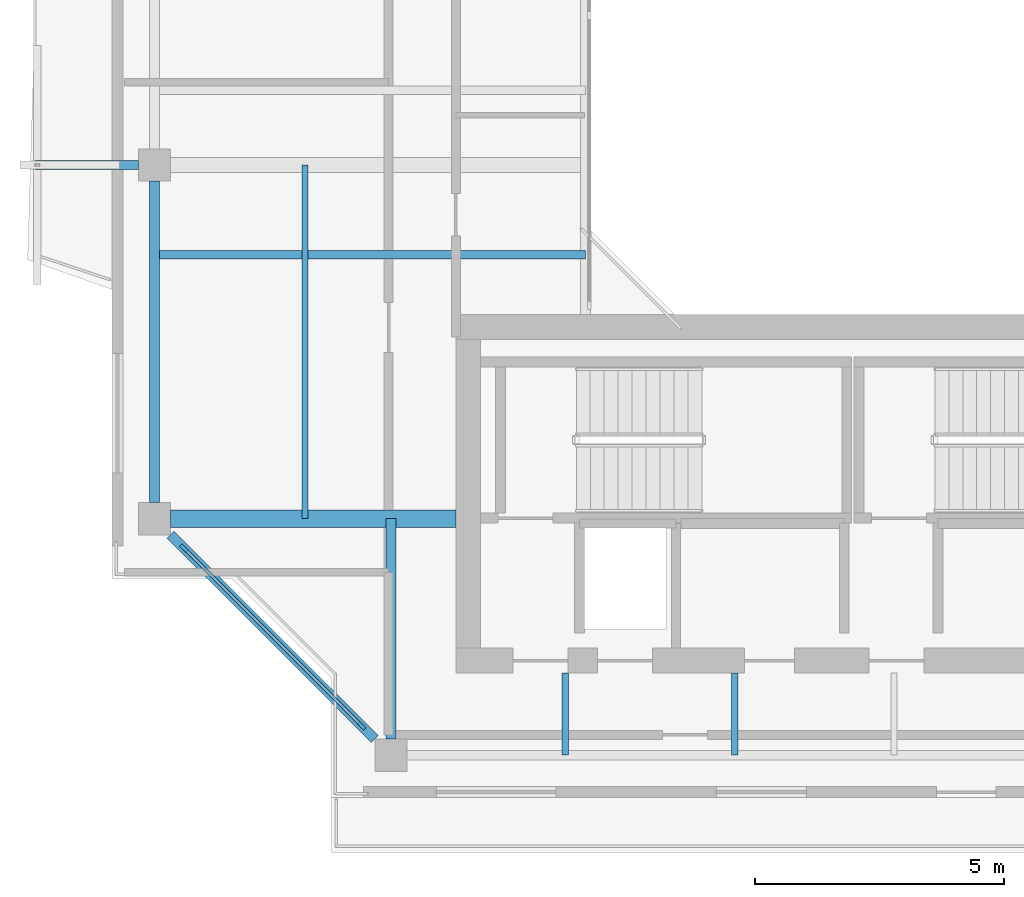
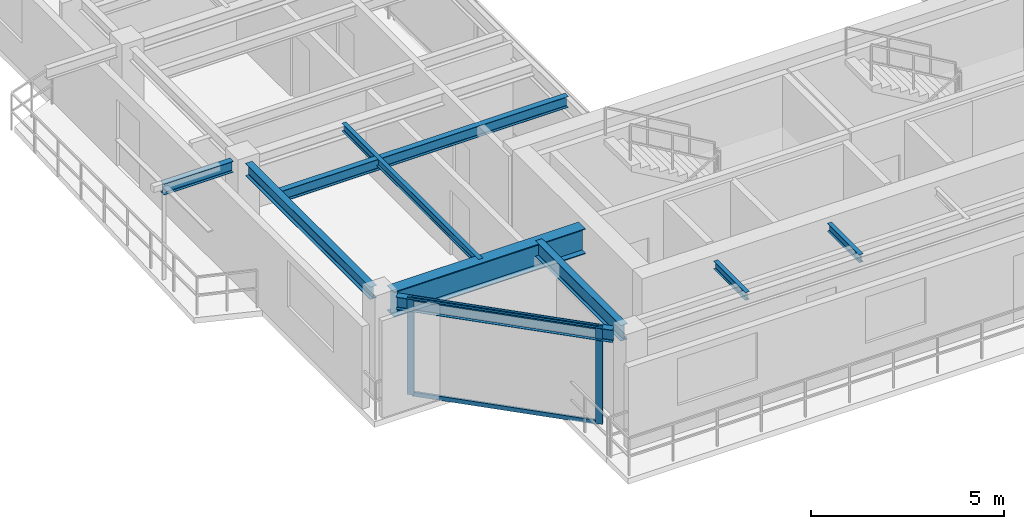
# One storey, part 2 of 15: 9 beams, 4 members, 1 element without a shape of its own.
"""IFC4 building model written with IfcOpenShell, lengths in metres."""

from ifc_helpers import new_model, si_unit, direction, frame, origin, origin_2d, place, context, subcontext, project, spatial, rectangle, i_section, extrude, source, transform, mapped, material, layer, layer_set, material_profile, profile_set, type_object, element, aggregate, save


model = new_model("IFC4")

# Units and contexts
model_context = context("Model", 3, precision=1e-05, world=origin(), true_north=direction((0.0, 1.0)))
body_context = subcontext(model_context, "Body", "Model", "MODEL_VIEW")
ifc_project = project(units=[si_unit("LENGTHUNIT", "METRE"), si_unit("AREAUNIT", "SQUARE_METRE"), si_unit("VOLUMEUNIT", "CUBIC_METRE"), si_unit("PLANEANGLEUNIT", "RADIAN"), si_unit("MASSUNIT", "GRAM", prefix="KILO"), si_unit("THERMODYNAMICTEMPERATUREUNIT", "KELVIN"), si_unit("POWERUNIT", "WATT")], contexts=[model_context])

# Site, building, storey
site_placement = place(None, origin())
site = spatial("IfcSite", under=ifc_project, at=site_placement, CompositionType="ELEMENT")
building_placement = place(site_placement, origin())
building = spatial("IfcBuilding", under=site, at=building_placement, Name="Qiaomeng Ring Towers", CompositionType="ELEMENT")
storey_placement = place(building_placement, frame((0.0, 0.0, 237.25)))
storey = spatial("IfcBuildingStorey", under=building, at=storey_placement, Name="L69", CompositionType="ELEMENT", Elevation=237.25)

# Beams
ifc_material_1 = material(Name="Steel Q355B", Category="steel")
ifc_material_profile_1 = material_profile(ifc_material_1, i_section(OverallWidth=0.198974609375, OverallDepth=0.39599609375, WebThickness=0.007080078125, FlangeThickness=0.010986328125, FilletRadius=0.01611328125, at=origin_2d()), Name="HN 396x199x7x11")
ifc_profile_set_1 = profile_set([ifc_material_profile_1], Name="Steel Q355B")
beam_type_1 = type_object("IfcBeamType", Name="STR-BM-HN396", PredefinedType="SPANDREL", material=ifc_profile_set_1)
shared_shape_1 = source(origin(), body_context, "Body", "SweptSolid", [
    extrude(i_section(OverallWidth=0.198974609375, OverallDepth=0.39599609375, WebThickness=0.007080078125, FlangeThickness=0.010986328125, FilletRadius=0.01611328125, at=origin_2d()), origin(), (0.0, 0.0, 1.0), 5.800048828125),
])
beam_1_placement = place(storey_placement, frame((4.474365234375, 12.57568359375, 2.8720703125), z_axis=(0.707106781187, -0.707106781187, 0.0), x_axis=(0.707106781187, 0.707106781187, 0.0)))
element("IfcBeam", 1, at=beam_1_placement, inside=storey, type_object=beam_type_1, Name="L69 beam STR-SP-L69-T1-W1-S1", PredefinedType="SPANDREL", context=body_context, shape_type="MappedRepresentation", body=[
    mapped(shared_shape_1, transform((0.0, 0.0, 0.0), x_axis=(1.0, 0.0, 0.0), y_axis=(0.0, 1.0, 0.0), z_axis=(0.0, 0.0, 1.0), scale=1.0)),
])
shared_shape_2 = source(origin(), body_context, "Body", "SweptSolid", [
    extrude(i_section(OverallWidth=0.198974609375, OverallDepth=0.39599609375, WebThickness=0.007080078125, FlangeThickness=0.010986328125, FilletRadius=0.01611328125, at=origin_2d()), origin(), (0.0, 0.0, 1.0), 6.451904296875),
])
beam_2_placement = place(storey_placement, frame((4.14990234375, 19.676025390625, 2.8720703125), z_axis=(0.0, -1.0, 0.0), x_axis=(1.0, 0.0, 0.0)))
element("IfcBeam", 2, at=beam_2_placement, inside=storey, type_object=beam_type_1, Name="L69 beam STR-SP-L69-T1-W2-W1", PredefinedType="SPANDREL", context=body_context, shape_type="MappedRepresentation", body=[
    mapped(shared_shape_2, transform((0.0, 0.0, 0.0), x_axis=(1.0, 0.0, 0.0), y_axis=(0.0, 1.0, 0.0), z_axis=(0.0, 0.0, 1.0), scale=1.0)),
])
ifc_material_2 = material(Name="Steel Q390GJC", Category="steel")
ifc_material_profile_2 = material_profile(ifc_material_2, i_section(OverallWidth=0.35009765625, OverallDepth=0.800048828125, WebThickness=0.01611328125, FlangeThickness=0.028076171875, at=origin_2d()), Name="WH 800x350x16x28")
ifc_profile_set_2 = profile_set([ifc_material_profile_2], Name="Steel Q390GJC")
beam_type_2 = type_object("IfcBeamType", Name="STR-BM-WH800", PredefinedType="BEAM", material=ifc_profile_set_2)
shared_shape_3 = source(origin(), body_context, "Body", "SweptSolid", [
    extrude(i_section(OverallWidth=0.35009765625, OverallDepth=0.800048828125, WebThickness=0.01611328125, FlangeThickness=0.028076171875, at=origin_2d()), origin(), (0.0, 0.0, 1.0), 5.725830078125),
])
beam_3_placement = place(storey_placement, frame((4.47412109375, 12.89990234375, 2.669921875), z_axis=(1.0, 0.0, 0.0), x_axis=(0.0, 1.0, 0.0)))
element("IfcBeam", 3, at=beam_3_placement, inside=storey, type_object=beam_type_2, Name="L69 beam STR-BM-L69-T1-RAD-W1", PredefinedType="BEAM", context=body_context, shape_type="MappedRepresentation", body=[
    mapped(shared_shape_3, transform((0.0, 0.0, 0.0), x_axis=(1.0, 0.0, 0.0), y_axis=(0.0, 1.0, 0.0), z_axis=(0.0, 0.0, 1.0), scale=1.0)),
])
ifc_material_profile_3 = material_profile(ifc_material_1, i_section(OverallWidth=0.198974609375, OverallDepth=0.49609375, WebThickness=0.009033203125, FlangeThickness=0.013916015625, FilletRadius=0.01806640625, at=origin_2d()), Name="HN 496x199x9x14")
ifc_profile_set_3 = profile_set([ifc_material_profile_3], Name="Steel Q355B")
beam_type_3 = type_object("IfcBeamType", Name="STR-BM-HN496", PredefinedType="BEAM", material=ifc_profile_set_3)
shared_shape_4 = source(origin(), body_context, "Body", "SweptSolid", [
    extrude(i_section(OverallWidth=0.198974609375, OverallDepth=0.49609375, WebThickness=0.009033203125, FlangeThickness=0.013916015625, FilletRadius=0.01806640625, at=origin_2d()), origin(), (0.0, 0.0, 1.0), 4.42578125),
])
beam_4_placement = place(storey_placement, frame((8.89990234375, 8.47412109375, 2.822021484375), z_axis=(0.0, 1.0, 0.0), x_axis=(-1.0, 0.0, 0.0)))
element("IfcBeam", 4, at=beam_4_placement, inside=storey, type_object=beam_type_3, Name="L69 beam STR-BM-L69-T1-RAD-S1", PredefinedType="BEAM", context=body_context, shape_type="MappedRepresentation", body=[
    mapped(shared_shape_4, transform((0.0, 0.0, 0.0), x_axis=(1.0, 0.0, 0.0), y_axis=(0.0, 1.0, 0.0), z_axis=(0.0, 0.0, 1.0), scale=1.0)),
])
ifc_material_profile_4 = material_profile(ifc_material_1, i_section(OverallWidth=0.125, OverallDepth=0.25, WebThickness=0.006103515625, FlangeThickness=0.009033203125, FilletRadius=0.011962890625, at=origin_2d()), Name="HN 250x125x6x9")
ifc_profile_set_4 = profile_set([ifc_material_profile_4], Name="Steel Q355B")
beam_type_4 = type_object("IfcBeamType", Name="STR-BM-HN250", PredefinedType="JOIST", material=ifc_profile_set_4)
shared_shape_5 = source(origin(), body_context, "Body", "SweptSolid", [
    extrude(i_section(OverallWidth=0.125, OverallDepth=0.25, WebThickness=0.006103515625, FlangeThickness=0.009033203125, FilletRadius=0.011962890625, at=origin_2d()), origin(), (0.0, 0.0, 1.0), 1.650146484375),
])
for number, where, z_axis, x_axis, name in (
    (5, (12.39990234375, 8.14990234375, 2.945068359375), (0.0, 1.0, 0.0), (-1.0, 0.0, 0.0), "L69 beam STR-JST-L69-T1S-1"),
    (6, (15.800048828125, 8.14990234375, 2.945068359375), (0.0, 1.0, 0.0), (-1.0, 0.0, 0.0), "L69 beam STR-JST-L69-T1S-2"),
):
    element("IfcBeam", number, at=place(storey_placement, frame(where, z_axis=z_axis, x_axis=x_axis)), inside=storey, type_object=beam_type_4, Name=name, PredefinedType="JOIST", context=body_context, shape_type="MappedRepresentation", body=[
        mapped(shared_shape_5, transform((0.0, 0.0, 0.0), x_axis=(1.0, 0.0, 0.0), y_axis=(0.0, 1.0, 0.0), z_axis=(0.0, 0.0, 1.0), scale=1.0)),
    ])
ifc_material_profile_5 = material_profile(ifc_material_1, i_section(OverallWidth=0.175048828125, OverallDepth=0.35009765625, WebThickness=0.007080078125, FlangeThickness=0.010986328125, FilletRadius=0.013916015625, at=origin_2d()), Name="HN 350x175x7x11")
ifc_profile_set_5 = profile_set([ifc_material_profile_5], Name="Steel Q355B")
beam_type_5 = type_object("IfcBeamType", Name="STR-BM-HN350", PredefinedType="JOIST", material=ifc_profile_set_5)
shared_shape_6 = source(origin(), body_context, "Body", "SweptSolid", [
    extrude(i_section(OverallWidth=0.175048828125, OverallDepth=0.35009765625, WebThickness=0.007080078125, FlangeThickness=0.010986328125, FilletRadius=0.013916015625, at=origin_2d()), origin(), (0.0, 0.0, 1.0), 8.650146484375),
])
beam_5_placement = place(storey_placement, frame((4.14990234375, 18.199951171875, 2.89501953125), z_axis=(1.0, 0.0, 0.0), x_axis=(0.0, 1.0, 0.0)))
element("IfcBeam", 7, at=beam_5_placement, inside=storey, type_object=beam_type_5, Name="L69 beam STR-JST-L69-T1W-1", PredefinedType="JOIST", context=body_context, shape_type="MappedRepresentation", body=[
    mapped(shared_shape_6, transform((0.0, 0.0, 0.0), x_axis=(1.0, 0.0, 0.0), y_axis=(0.0, 1.0, 0.0), z_axis=(0.0, 0.0, 1.0), scale=1.0)),
])
shared_shape_7 = source(origin(), body_context, "Body", "SweptSolid", [
    extrude(i_section(OverallWidth=0.125, OverallDepth=0.25, WebThickness=0.006103515625, FlangeThickness=0.009033203125, FilletRadius=0.011962890625, at=origin_2d()), origin(), (0.0, 0.0, 1.0), 7.10009765625),
])
beam_6_placement = place(storey_placement, frame((7.175048828125, 12.89990234375, 2.945068359375), z_axis=(0.0, 1.0, 0.0), x_axis=(-1.0, 0.0, 0.0)))
element("IfcBeam", 8, at=beam_6_placement, inside=storey, type_object=beam_type_4, Name="L69 beam STR-JST-L69-T1C-WS", PredefinedType="JOIST", context=body_context, shape_type="MappedRepresentation", body=[
    mapped(shared_shape_7, transform((0.0, 0.0, 0.0), x_axis=(1.0, 0.0, 0.0), y_axis=(0.0, 1.0, 0.0), z_axis=(0.0, 0.0, 1.0), scale=1.0)),
])
shared_shape_8 = source(origin(), body_context, "Body", "SweptSolid", [
    extrude(i_section(OverallWidth=0.175048828125, OverallDepth=0.35009765625, WebThickness=0.007080078125, FlangeThickness=0.010986328125, FilletRadius=0.013916015625, at=origin_2d()), origin(), (0.0, 0.0, 1.0), 2.075927734375),
])
beam_7_placement = place(storey_placement, frame((1.75, 20.0, 2.89501953125), z_axis=(1.0, 0.0, 0.0), x_axis=(0.0, 1.0, 0.0)))
element("IfcBeam", 9, at=beam_7_placement, inside=storey, type_object=beam_type_5, Name="L69 beam STR-BALBM-L69-W2", PredefinedType="JOIST", context=body_context, shape_type="MappedRepresentation", body=[
    mapped(shared_shape_8, transform((0.0, 0.0, 0.0), x_axis=(1.0, 0.0, 0.0), y_axis=(0.0, 1.0, 0.0), z_axis=(0.0, 0.0, 1.0), scale=1.0)),
])

# Curtain wall, members
ifc_material_3 = material(Name="Fluorocarbon dark-grey aluminium", Category="aluminium")
ifc_layer = layer(ifc_material_3, 0.14990234375, Name="Fluorocarbon dark-grey aluminium")
ifc_layer_set = layer_set([ifc_layer], Name="Fluorocarbon dark-grey aluminium")
curtain_wall_type = type_object("IfcCurtainWallType", Name="ARC-CW-3", PredefinedType="NOTDEFINED", material=ifc_layer_set)
curtain_wall_placement = place(storey_placement, origin())
curtain_wall = element("IfcCurtainWall", 10, at=curtain_wall_placement, inside=storey, type_object=curtain_wall_type, Name="L69 Curtain Wall CW3", PredefinedType="NOTDEFINED")
ifc_material_profile_6 = material_profile(ifc_material_3, rectangle(XDim=0.070068359375, YDim=0.179931640625, at=origin_2d()), Name="ALU MULL 70x180")
ifc_profile_set_6 = profile_set([ifc_material_profile_6], Name="Fluorocarbon dark-grey aluminium")
member_type_1 = type_object("IfcMemberType", Name="ARC-CWM-160", PredefinedType="MULLION", material=ifc_profile_set_6)
shared_shape_9 = source(origin(), body_context, "Body", "SweptSolid", [
    extrude(rectangle(XDim=0.070068359375, YDim=0.179931640625, at=origin_2d()), origin(), (0.0, 0.0, 1.0), 3.070068359375),
])
member_1_placement = place(storey_placement, frame((4.73974609375, 12.310302734375, 0.0), z_axis=(0.0, 0.0, 1.0), x_axis=(0.707106781187, 0.707106781187, 0.0)))
member_1 = element("IfcMember", 11, at=member_1_placement, type_object=member_type_1, Name="CW3 mullion 1", PredefinedType="MULLION", context=body_context, shape_type="MappedRepresentation", body=[
    mapped(shared_shape_9, transform((0.0, 0.0, 0.0), x_axis=(1.0, 0.0, 0.0), y_axis=(0.0, 1.0, 0.0), z_axis=(0.0, 0.0, 1.0), scale=1.0)),
])
member_2_placement = place(storey_placement, frame((8.310302734375, 8.73974609375, 0.0), z_axis=(0.0, 0.0, 1.0), x_axis=(0.707106781187, 0.707106781187, 0.0)))
member_2 = element("IfcMember", 12, at=member_2_placement, type_object=member_type_1, Name="CW3 mullion 2", PredefinedType="MULLION", context=body_context, shape_type="MappedRepresentation", body=[
    mapped(shared_shape_9, transform((0.0, 0.0, 0.0), x_axis=(1.0, 0.0, 0.0), y_axis=(0.0, 1.0, 0.0), z_axis=(0.0, 0.0, 1.0), scale=1.0)),
])
ifc_material_profile_7 = material_profile(ifc_material_3, rectangle(XDim=0.06494140625, YDim=0.1298828125, at=origin_2d()), Name="ALU TRAN 65x130")
ifc_profile_set_7 = profile_set([ifc_material_profile_7], Name="Fluorocarbon dark-grey aluminium")
member_type_2 = type_object("IfcMemberType", Name="ARC-CWT-120", PredefinedType="USERDEFINED", material=ifc_profile_set_7)
shared_shape_10 = source(origin(), body_context, "Body", "SweptSolid", [
    extrude(rectangle(XDim=0.06494140625, YDim=0.1298828125, at=origin_2d()), origin(), (0.0, 0.0, 1.0), 4.9794921875),
])
member_3_placement = place(storey_placement, frame((4.764404296875, 12.285400390625, 0.032470703125), z_axis=(0.707106781187, -0.707106781187, 0.0), x_axis=(0.707106781187, 0.707106781187, 0.0)))
member_3 = element("IfcMember", 13, at=member_3_placement, type_object=member_type_2, Name="CW3 transom 1.1", ObjectType="TRANSOM", PredefinedType="USERDEFINED", context=body_context, shape_type="MappedRepresentation", body=[
    mapped(shared_shape_10, transform((0.0, 0.0, 0.0), x_axis=(1.0, 0.0, 0.0), y_axis=(0.0, 1.0, 0.0), z_axis=(0.0, 0.0, 1.0), scale=1.0)),
])
member_4_placement = place(storey_placement, frame((4.764404296875, 12.285400390625, 3.03759765625), z_axis=(0.707106781187, -0.707106781187, 0.0), x_axis=(0.707106781187, 0.707106781187, 0.0)))
member_4 = element("IfcMember", 14, at=member_4_placement, type_object=member_type_2, Name="CW3 transom 1.2", ObjectType="TRANSOM", PredefinedType="USERDEFINED", context=body_context, shape_type="MappedRepresentation", body=[
    mapped(shared_shape_10, transform((0.0, 0.0, 0.0), x_axis=(1.0, 0.0, 0.0), y_axis=(0.0, 1.0, 0.0), z_axis=(0.0, 0.0, 1.0), scale=1.0)),
])
aggregate(curtain_wall, [member_1, member_2, member_3, member_4])

save(model, "model.ifc")
